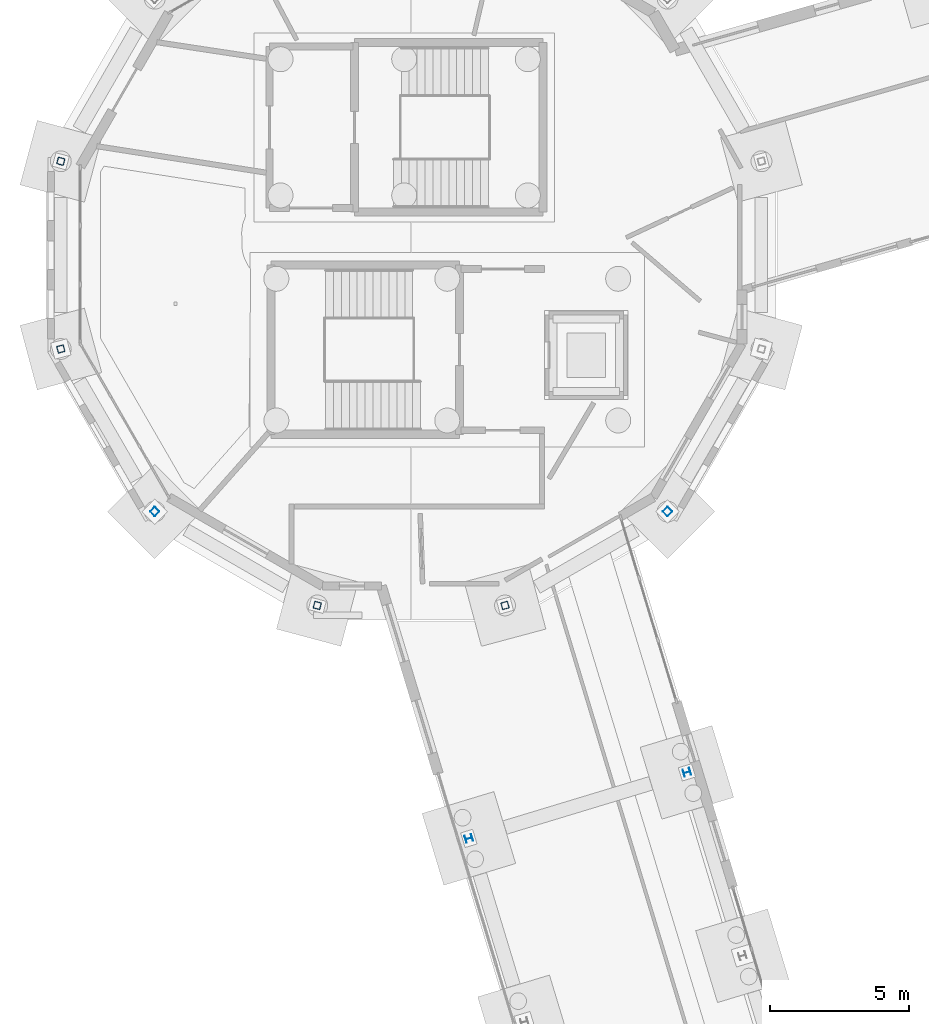
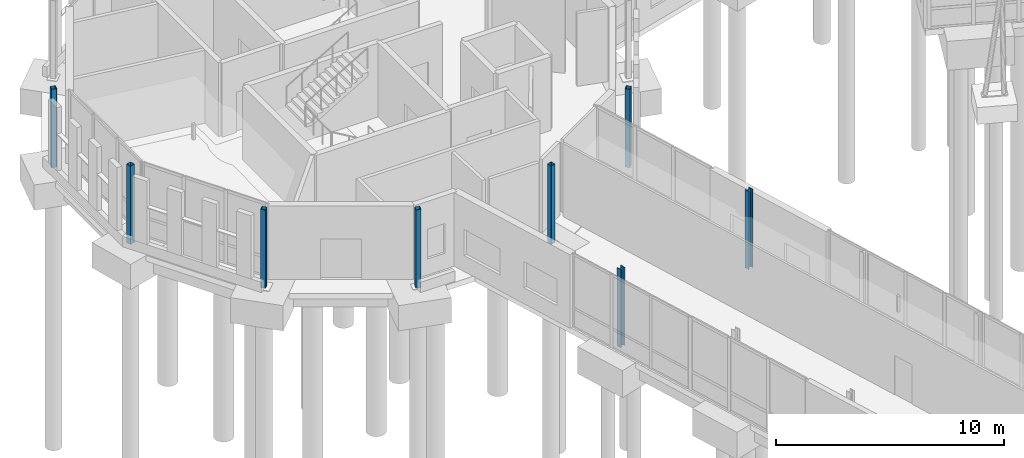
# One storey, part 12 of 113: 8 columns.
"""IFC4 building model written with IfcOpenShell, lengths in metres."""

from ifc_helpers import new_model, si_unit, direction, frame, origin, origin_2d, place, context, subcontext, project, spatial, hollow_rectangle, i_section, extrude, material, material_profile, profile_set, type_object, element, save


model = new_model("IFC4")

# Units and contexts
model_context = context("Model", 3, precision=1e-05, world=origin(), true_north=direction((0.0, 1.0)))
body_context = subcontext(model_context, "Body", "Model", "MODEL_VIEW")
ifc_project = project(units=[si_unit("LENGTHUNIT", "METRE"), si_unit("AREAUNIT", "SQUARE_METRE"), si_unit("VOLUMEUNIT", "CUBIC_METRE"), si_unit("PLANEANGLEUNIT", "RADIAN"), si_unit("MASSUNIT", "GRAM", prefix="KILO")], contexts=[model_context])

# Site, building, storey
site_placement = place(None, origin())
site = spatial("IfcSite", under=ifc_project, at=site_placement, CompositionType="ELEMENT")
building_placement = place(site_placement, origin())
building = spatial("IfcBuilding", under=site, at=building_placement, Name="Wrenclough Park School", CompositionType="ELEMENT")
storey_placement = place(building_placement, origin())
storey = spatial("IfcBuildingStorey", under=building, at=storey_placement, Name="L00", CompositionType="ELEMENT", Elevation=0.0)

# Columns
ifc_material = material(Name="Structural steel S355", Category="steel")
ifc_material_profile_1 = material_profile(ifc_material, hollow_rectangle(XDim=0.25, YDim=0.25, WallThickness=0.012451171875, InnerFilletRadius=0.012451171875, OuterFilletRadius=0.018798828125, at=origin_2d()), Name="SHS 250x250x12.5")
ifc_profile_set_1 = profile_set([ifc_material_profile_1], Name="Structural steel S355")
column_type_1 = type_object("IfcColumnType", Name="STR-COL-SHS250", PredefinedType="COLUMN", material=ifc_profile_set_1)
for number, where, z_axis, x_axis, name in (
    (1, (3.894775390625, 92.877685546875, 0.0), (0.0, 0.0, 1.0), (-0.258819045103, -0.965925826289, 0.0), "D3 L00 column D3-OUT-06"),
    (2, (3.894775390625, 86.122314453125, 0.0), (0.0, 0.0, 1.0), (0.258819045103, -0.965925826289, 0.0), "D3 L00 column D3-OUT-07"),
    (3, (7.272216796875, 80.272216796875, 0.0), (0.0, 0.0, 1.0), (0.707106781187, -0.707106781187, 0.0), "D3 L00 column D3-OUT-08"),
    (4, (13.122314453125, 76.894775390625, 0.0), (0.0, 0.0, 1.0), (0.965925826289, -0.258819045103, 0.0), "D3 L00 column D3-OUT-09"),
    (5, (19.877685546875, 76.894775390625, 0.0), (0.0, 0.0, 1.0), (0.965925826289, 0.258819045103, 0.0), "D3 L00 column D3-OUT-10"),
    (6, (25.727783203125, 80.272216796875, 0.0), (0.0, 0.0, 1.0), (0.707106781187, 0.707106781187, 0.0), "D3 L00 column D3-OUT-11"),
):
    element("IfcColumn", number, at=place(storey_placement, frame(where, z_axis=z_axis, x_axis=x_axis)), inside=storey, type_object=column_type_1, Name=name, PredefinedType="COLUMN", context=body_context, shape_type="SweptSolid", body=[
        extrude(hollow_rectangle(XDim=0.25, YDim=0.25, WallThickness=0.012451171875, InnerFilletRadius=0.012451171875, OuterFilletRadius=0.018798828125, at=origin_2d()), origin(), (0.0, 0.0, 1.0), 4.199951171875),
    ])
ifc_material_profile_2 = material_profile(ifc_material, i_section(OverallWidth=0.254638671875, OverallDepth=0.254150390625, WebThickness=0.008544921875, FlangeThickness=0.01416015625, FilletRadius=0.0126953125, at=origin_2d()), Name="UKC 254x254x73")
ifc_profile_set_2 = profile_set([ifc_material_profile_2], Name="Structural steel S355")
column_type_2 = type_object("IfcColumnType", Name="STR-COL-UKC254A", PredefinedType="COLUMN", material=ifc_profile_set_2)
for number, where, z_axis, x_axis, name in (
    (7, (18.576171875, 68.510986328125, 0.0), (0.0, 0.0, 1.0), (-0.290034140915, 0.957016299288, 0.0), "W23 L00 column W23-C1-L07"),
    (8, (26.423828125, 70.888916015625, 0.0), (0.0, 0.0, 1.0), (-0.290034140915, 0.957016299288, 0.0), "W23 L00 column W23-C1-R07"),
):
    element("IfcColumn", number, at=place(storey_placement, frame(where, z_axis=z_axis, x_axis=x_axis)), inside=storey, type_object=column_type_2, Name=name, PredefinedType="COLUMN", context=body_context, shape_type="SweptSolid", body=[
        extrude(i_section(OverallWidth=0.254638671875, OverallDepth=0.254150390625, WebThickness=0.008544921875, FlangeThickness=0.01416015625, FilletRadius=0.0126953125, at=origin_2d()), origin(), (0.0, 0.0, 1.0), 4.199951171875),
    ])

save(model, "model.ifc")
